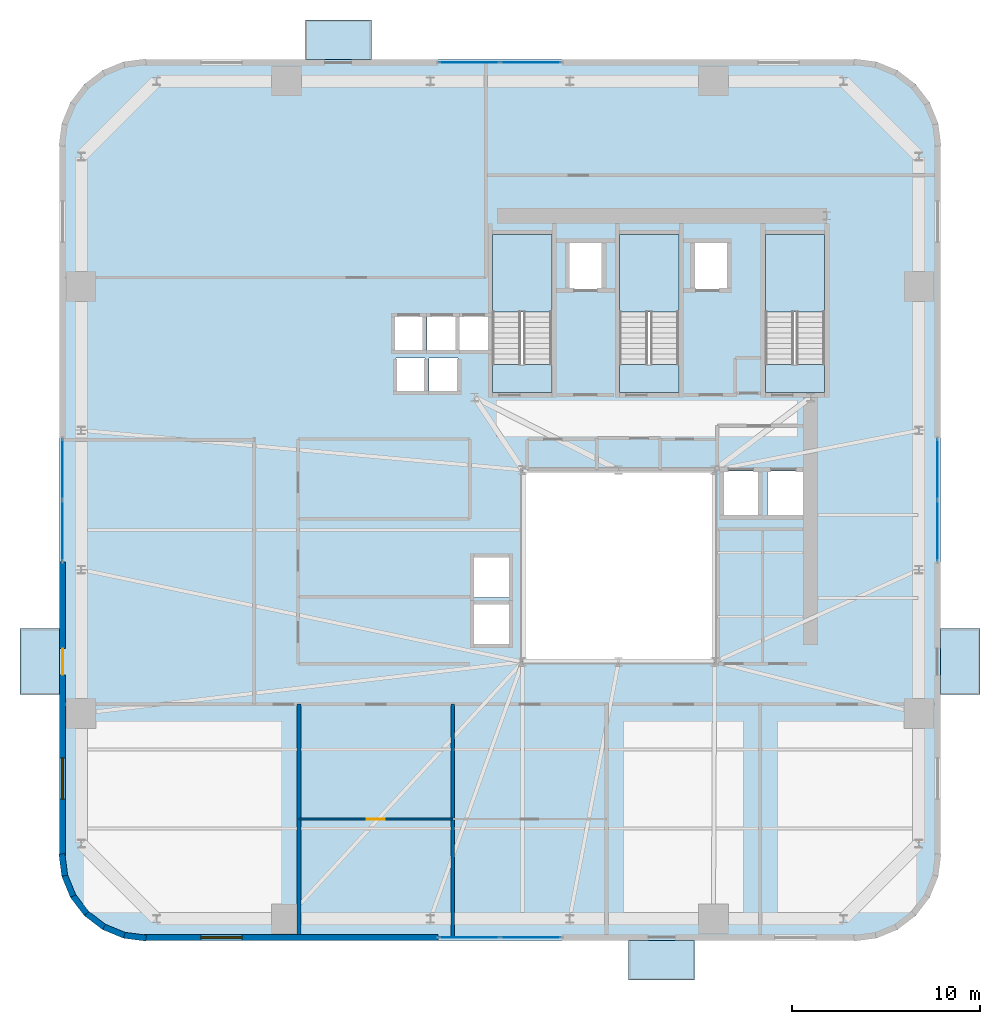
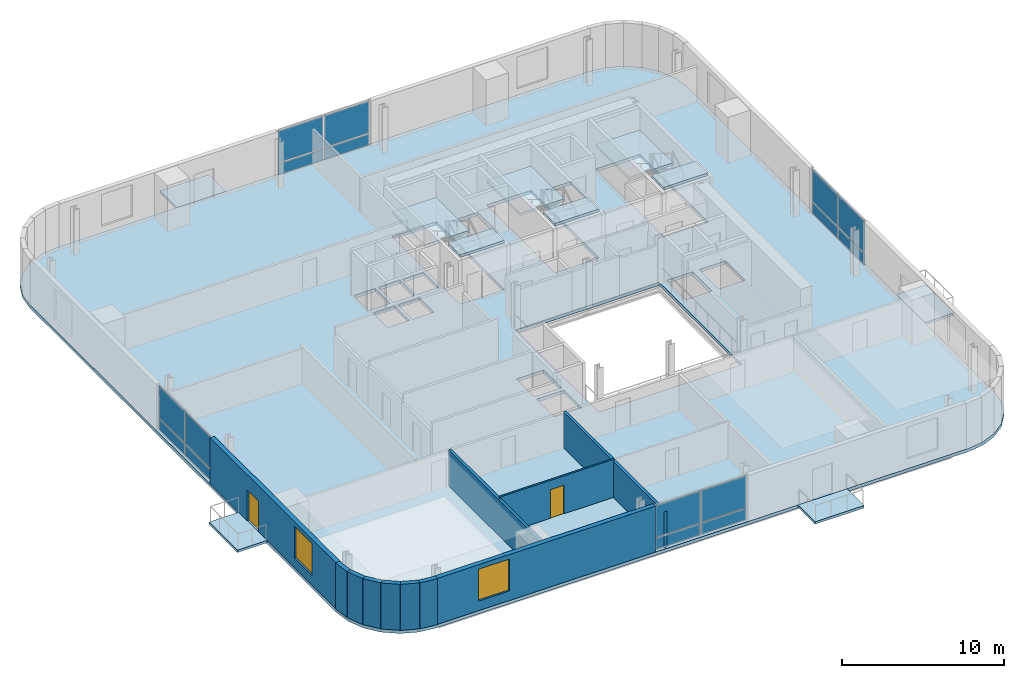
# One storey, part 5 of 13: 16 plates, 11 slabs, 11 walls, 2 doors, 2 windows, 4 openings, 7 elements without a shape of their own.
"""IFC4 building model written with IfcOpenShell, lengths in metres."""

from ifc_helpers import new_model, si_unit, direction, frame, frame_2d, origin, origin_2d, place, context, subcontext, project, spatial, polyline, rectangle, outline, extrude, source, transform, mapped, material, layer, layer_set, type_object, element, fill, aggregate, save


model = new_model("IFC4")

# Units and contexts
model_context = context("Model", 3, precision=1e-05, world=origin(), true_north=direction((0.0, 1.0)))
body_context = subcontext(model_context, "Body", "Model", "MODEL_VIEW")
ifc_project = project(units=[si_unit("LENGTHUNIT", "METRE"), si_unit("AREAUNIT", "SQUARE_METRE"), si_unit("VOLUMEUNIT", "CUBIC_METRE"), si_unit("PLANEANGLEUNIT", "RADIAN"), si_unit("MASSUNIT", "GRAM", prefix="KILO")], contexts=[model_context])

# Site, building, storey
site_placement = place(None, origin())
site = spatial("IfcSite", under=ifc_project, at=site_placement, CompositionType="ELEMENT")
building_placement = place(site_placement, origin())
building = spatial("IfcBuilding", under=site, at=building_placement, Name="Vardaveli Station Tower", CompositionType="ELEMENT")
storey_placement = place(building_placement, frame((0.0, 0.0, 159.39990234375)))
storey = spatial("IfcBuildingStorey", under=building, at=storey_placement, Name="L41", CompositionType="ELEMENT", Elevation=159.39990234375)

# Stair, slabs
ifc_material_1 = material(Name="Concrete C40/50", Category="concrete")
stair_type = type_object("IfcStairType", Name="STR-CORE-1500", PredefinedType="HALF_TURN_STAIR", material=ifc_material_1)
stair_1_placement = place(storey_placement, origin())
stair_1 = element("IfcStair", 1, at=stair_1_placement, inside=storey, type_object=stair_type, Name="L41 ST-1", PredefinedType="HALF_TURN_STAIR")
ifc_layer_1 = layer(ifc_material_1, 0.199951171875, Name="Concrete C40/50")
ifc_layer_set_1 = layer_set([ifc_layer_1], Name="Concrete C40/50")
slab_type_1 = type_object("IfcSlabType", Name="SLB-LAND-200", PredefinedType="LANDING", material=ifc_layer_set_1)
slab_1_placement = place(storey_placement, frame((0.0, 0.0, 1.650146484375)))
slab_1 = element("IfcSlab", 2, at=slab_1_placement, type_object=slab_type_1, Name="ST-1 landing 1", PredefinedType="LANDING", context=body_context, shape_type="SweptSolid", body=[
    extrude(outline(polyline([(32.75, 35.199951171875), (32.75, 39.300048828125), (29.60009765625, 39.300048828125), (29.60009765625, 35.199951171875), (32.75, 35.199951171875)])), origin(), (0.0, 0.0, 1.0), 0.199951171875),
])
slab_2_placement = place(storey_placement, frame((0.0, 0.0, 3.5)))
slab_2 = element("IfcSlab", 3, at=slab_2_placement, type_object=slab_type_1, Name="ST-1 landing 2", PredefinedType="LANDING", context=body_context, shape_type="SweptSolid", body=[
    extrude(outline(polyline([(32.75, 30.89990234375), (32.75, 32.39990234375), (29.60009765625, 32.39990234375), (29.60009765625, 30.89990234375), (32.75, 30.89990234375)])), origin(), (0.0, 0.0, 1.0), 0.2001953125),
])
aggregate(stair_1, [slab_1, slab_2])

stair_2_placement = place(storey_placement, origin())
stair_2 = element("IfcStair", 4, at=stair_2_placement, inside=storey, type_object=stair_type, Name="L41 ST-2", PredefinedType="HALF_TURN_STAIR")
slab_3_placement = place(storey_placement, frame((0.0, 0.0, 1.650146484375)))
slab_3 = element("IfcSlab", 5, at=slab_3_placement, type_object=slab_type_1, Name="ST-2 landing 1", PredefinedType="LANDING", context=body_context, shape_type="SweptSolid", body=[
    extrude(outline(polyline([(39.5, 35.199951171875), (39.5, 39.300048828125), (36.35009765625, 39.300048828125), (36.35009765625, 35.199951171875), (39.5, 35.199951171875)])), origin(), (0.0, 0.0, 1.0), 0.199951171875),
])
slab_4_placement = place(storey_placement, frame((0.0, 0.0, 3.5)))
slab_4 = element("IfcSlab", 6, at=slab_4_placement, type_object=slab_type_1, Name="ST-2 landing 2", PredefinedType="LANDING", context=body_context, shape_type="SweptSolid", body=[
    extrude(outline(polyline([(39.5, 30.89990234375), (39.5, 32.39990234375), (36.35009765625, 32.39990234375), (36.35009765625, 30.89990234375), (39.5, 30.89990234375)])), origin(), (0.0, 0.0, 1.0), 0.2001953125),
])
aggregate(stair_2, [slab_3, slab_4])

stair_3_placement = place(storey_placement, origin())
stair_3 = element("IfcStair", 7, at=stair_3_placement, inside=storey, type_object=stair_type, Name="L41 ST-3", PredefinedType="HALF_TURN_STAIR")
slab_5_placement = place(storey_placement, frame((0.0, 0.0, 1.650146484375)))
slab_5 = element("IfcSlab", 8, at=slab_5_placement, type_object=slab_type_1, Name="ST-3 landing 1", PredefinedType="LANDING", context=body_context, shape_type="SweptSolid", body=[
    extrude(outline(polyline([(47.25, 35.199951171875), (47.25, 39.300048828125), (44.10009765625, 39.300048828125), (44.10009765625, 35.199951171875), (47.25, 35.199951171875)])), origin(), (0.0, 0.0, 1.0), 0.199951171875),
])
slab_6_placement = place(storey_placement, frame((0.0, 0.0, 3.5)))
slab_6 = element("IfcSlab", 9, at=slab_6_placement, type_object=slab_type_1, Name="ST-3 landing 2", PredefinedType="LANDING", context=body_context, shape_type="SweptSolid", body=[
    extrude(outline(polyline([(47.25, 30.89990234375), (47.25, 32.39990234375), (44.10009765625, 32.39990234375), (44.10009765625, 30.89990234375), (47.25, 30.89990234375)])), origin(), (0.0, 0.0, 1.0), 0.2001953125),
])
aggregate(stair_3, [slab_5, slab_6])

# Slabs
ifc_material_2 = material(Name="Precast concrete C45/55", Category="concrete")
ifc_layer_2 = layer(ifc_material_2, 0.179931640625, Name="Precast concrete C45/55")
ifc_layer_set_2 = layer_set([ifc_layer_2], Name="Precast concrete C45/55")
slab_type_2 = type_object("IfcSlabType", Name="SLB-LOGGIA-180", PredefinedType="FLOOR", material=ifc_layer_set_2)
slab_7_placement = place(storey_placement, frame((0.0, 0.0, -0.179931640625)))
element("IfcSlab", 10, at=slab_7_placement, inside=storey, type_object=slab_type_2, Name="LOG-L41-S", PredefinedType="FLOOR", context=body_context, shape_type="SweptSolid", body=[
    extrude(outline(polyline([(36.839599609375, -0.300048828125), (40.339599609375, -0.300048828125), (40.339599609375, 1.800048828125), (36.839599609375, 1.800048828125), (36.839599609375, -0.300048828125)])), origin(), (0.0, 0.0, 1.0), 0.179931640625),
])
slab_8_placement = place(storey_placement, frame((0.0, 0.0, -0.179931640625)))
element("IfcSlab", 11, at=slab_8_placement, inside=storey, type_object=slab_type_2, Name="LOG-L41-N", PredefinedType="FLOOR", context=body_context, shape_type="SweptSolid", body=[
    extrude(outline(polyline([(19.660400390625, 48.60009765625), (23.160400390625, 48.60009765625), (23.160400390625, 50.699951171875), (19.660400390625, 50.699951171875), (19.660400390625, 48.60009765625)])), origin(), (0.0, 0.0, 1.0), 0.179931640625),
])
slab_9_placement = place(storey_placement, frame((0.0, 0.0, -0.179931640625)))
element("IfcSlab", 12, at=slab_9_placement, inside=storey, type_object=slab_type_2, Name="LOG-L41-W", PredefinedType="FLOOR", context=body_context, shape_type="SweptSolid", body=[
    extrude(outline(polyline([(4.5, 14.8603515625), (6.60009765625, 14.8603515625), (6.60009765625, 18.3603515625), (4.5, 18.3603515625), (4.5, 14.8603515625)])), origin(), (0.0, 0.0, 1.0), 0.179931640625),
])
slab_10_placement = place(storey_placement, frame((0.0, 0.0, -0.179931640625)))
element("IfcSlab", 13, at=slab_10_placement, inside=storey, type_object=slab_type_2, Name="LOG-L41-E", PredefinedType="FLOOR", context=body_context, shape_type="SweptSolid", body=[
    extrude(outline(polyline([(53.39990234375, 14.8603515625), (55.5, 14.8603515625), (55.5, 18.3603515625), (53.39990234375, 18.3603515625), (53.39990234375, 14.8603515625)])), origin(), (0.0, 0.0, 1.0), 0.179931640625),
])
ifc_layer_3 = layer(ifc_material_1, 0.239990234375, Name="Concrete C40/50")
ifc_layer_set_3 = layer_set([ifc_layer_3], Name="Concrete C40/50")
slab_type_3 = type_object("IfcSlabType", Name="SLB-TOW-240", PredefinedType="FLOOR", material=ifc_layer_set_3)
slab_11_placement = place(storey_placement, frame((0.0, 0.0, -0.239990234375)))
element("IfcSlab", 14, at=slab_11_placement, inside=storey, type_object=slab_type_3, Name="SLB-L41-MAIN", PredefinedType="FLOOR", context=body_context, shape_type="SweptSolid", body=[
    extrude(outline(polyline([(6.60009765625, 6.300048828125), (6.75341796875, 5.13525390625), (7.202880859375, 4.050048828125), (7.91796875, 3.117919921875), (8.85009765625, 2.40283203125), (9.935302734375, 1.953369140625), (11.10009765625, 1.800048828125), (48.89990234375, 1.800048828125), (50.064697265625, 1.953369140625), (51.14990234375, 2.40283203125), (52.08203125, 3.117919921875), (52.797119140625, 4.050048828125), (53.24658203125, 5.13525390625), (53.39990234375, 6.300048828125), (53.39990234375, 44.10009765625), (53.24658203125, 45.2646484375), (52.797119140625, 46.35009765625), (52.08203125, 47.281982421875), (51.14990234375, 47.9970703125), (50.064697265625, 48.44677734375), (48.89990234375, 48.60009765625), (11.10009765625, 48.60009765625), (9.935302734375, 48.44677734375), (8.85009765625, 47.9970703125), (7.91796875, 47.281982421875), (7.202880859375, 46.35009765625), (6.75341796875, 45.2646484375), (6.60009765625, 44.10009765625), (6.60009765625, 6.300048828125)]), holes=[polyline([(31.199951171875, 16.60009765625), (41.39990234375, 16.60009765625), (41.39990234375, 26.800048828125), (31.199951171875, 26.800048828125), (31.199951171875, 16.60009765625)]), polyline([(32.75, 30.89990234375), (32.75, 39.300048828125), (29.60009765625, 39.300048828125), (29.60009765625, 30.89990234375), (32.75, 30.89990234375)]), polyline([(39.5, 30.89990234375), (39.5, 39.300048828125), (36.35009765625, 39.300048828125), (36.35009765625, 30.89990234375), (39.5, 30.89990234375)]), polyline([(47.25, 30.89990234375), (47.25, 39.300048828125), (44.10009765625, 39.300048828125), (44.10009765625, 30.89990234375), (47.25, 30.89990234375)]), polyline([(24.385009765625, 33.135009765625), (25.9150390625, 33.135009765625), (25.9150390625, 34.965087890625), (24.385009765625, 34.965087890625), (24.385009765625, 33.135009765625)]), polyline([(26.135009765625, 33.135009765625), (27.6650390625, 33.135009765625), (27.6650390625, 34.965087890625), (26.135009765625, 34.965087890625), (26.135009765625, 33.135009765625)]), polyline([(27.8349609375, 33.135009765625), (29.364990234375, 33.135009765625), (29.364990234375, 34.965087890625), (27.8349609375, 34.965087890625), (27.8349609375, 33.135009765625)]), polyline([(33.659912109375, 36.409912109375), (35.43994140625, 36.409912109375), (35.43994140625, 38.889892578125), (33.659912109375, 38.889892578125), (33.659912109375, 36.409912109375)]), polyline([(40.31005859375, 36.409912109375), (42.090087890625, 36.409912109375), (42.090087890625, 38.889892578125), (40.31005859375, 38.889892578125), (40.31005859375, 36.409912109375)]), polyline([(24.485107421875, 30.9599609375), (26.014892578125, 30.9599609375), (26.014892578125, 32.739990234375), (24.485107421875, 32.739990234375), (24.485107421875, 30.9599609375)]), polyline([(26.235107421875, 30.9599609375), (27.764892578125, 30.9599609375), (27.764892578125, 32.739990234375), (26.235107421875, 32.739990234375), (26.235107421875, 30.9599609375)]), polyline([(28.5849609375, 17.510009765625), (30.514892578125, 17.510009765625), (30.514892578125, 19.68994140625), (28.5849609375, 19.68994140625), (28.5849609375, 17.510009765625)]), polyline([(28.5849609375, 20.010009765625), (30.514892578125, 20.010009765625), (30.514892578125, 22.18994140625), (28.5849609375, 22.18994140625), (28.5849609375, 20.010009765625)]), polyline([(41.860107421875, 24.360107421875), (43.739990234375, 24.360107421875), (43.739990234375, 26.739990234375), (41.860107421875, 26.739990234375), (41.860107421875, 24.360107421875)]), polyline([(44.2099609375, 24.360107421875), (46.090087890625, 24.360107421875), (46.090087890625, 26.739990234375), (44.2099609375, 26.739990234375), (44.2099609375, 24.360107421875)])]), origin(), (0.0, 0.0, 1.0), 0.239990234375),
])

# Curtain wall, plates
ifc_material_3 = material(Name="Travertine stone and solar-control glass", Category="masonry")
curtain_wall_type = type_object("IfcCurtainWallType", Name="CW-SYS-2", PredefinedType="NOTDEFINED", material=ifc_material_3)
curtain_wall_1_placement = place(storey_placement, origin())
curtain_wall_1 = element("IfcCurtainWall", 15, at=curtain_wall_1_placement, inside=storey, type_object=curtain_wall_type, Name="CW-L41-S", PredefinedType="NOTDEFINED")
ifc_material_4 = material(Name="Double-glazed low-E solar-control glass", Category="glass")
ifc_layer_4 = layer(ifc_material_4, 0.035888671875, Name="Double-glazed low-E solar-control glass")
ifc_layer_set_4 = layer_set([ifc_layer_4], Name="Double-glazed low-E solar-control glass")
plate_type = type_object("IfcPlateType", Name="CW-SYS-2-PAN", PredefinedType="CURTAIN_PANEL", material=ifc_layer_set_4)
shared_shape_1 = source(origin(), body_context, "Body", "SweptSolid", [
    extrude(rectangle(XDim=3.172607421875, YDim=0.035888671875, at=origin_2d()), origin(), (0.0, 0.0, 1.0), 0.822509765625),
])
plate_1_placement = place(storey_placement, frame((28.371337890625, 1.9599609375, 0.0849609375), z_axis=(0.0, 0.0, 1.0), x_axis=(1.0, 0.0, 0.0)))
plate_1 = element("IfcPlate", 16, at=plate_1_placement, type_object=plate_type, Name="CW-2 panel 1.1", PredefinedType="CURTAIN_PANEL", context=body_context, shape_type="MappedRepresentation", body=[
    mapped(shared_shape_1, transform((0.0, 0.0, 0.0), scale=1.0)),
])
plate_2_placement = place(storey_placement, frame((31.628662109375, 1.9599609375, 0.0849609375), z_axis=(0.0, 0.0, 1.0), x_axis=(1.0, 0.0, 0.0)))
plate_2 = element("IfcPlate", 17, at=plate_2_placement, type_object=plate_type, Name="CW-2 panel 2.1", PredefinedType="CURTAIN_PANEL", context=body_context, shape_type="MappedRepresentation", body=[
    mapped(shared_shape_1, transform((0.0, 0.0, 0.0), scale=1.0)),
])

curtain_wall_2_placement = place(storey_placement, origin())
curtain_wall_2 = element("IfcCurtainWall", 18, at=curtain_wall_2_placement, inside=storey, type_object=curtain_wall_type, Name="CW-L41-N", PredefinedType="NOTDEFINED")
plate_3_placement = place(storey_placement, frame((31.628662109375, 48.43994140625, 0.0849609375), z_axis=(0.0, 0.0, 1.0), x_axis=(-1.0, 0.0, 0.0)))
plate_3 = element("IfcPlate", 19, at=plate_3_placement, type_object=plate_type, Name="CW-2 panel 1.1", PredefinedType="CURTAIN_PANEL", context=body_context, shape_type="MappedRepresentation", body=[
    mapped(shared_shape_1, transform((0.0, 0.0, 0.0), scale=1.0)),
])
plate_4_placement = place(storey_placement, frame((28.371337890625, 48.43994140625, 0.0849609375), z_axis=(0.0, 0.0, 1.0), x_axis=(-1.0, 0.0, 0.0)))
plate_4 = element("IfcPlate", 20, at=plate_4_placement, type_object=plate_type, Name="CW-2 panel 2.1", PredefinedType="CURTAIN_PANEL", context=body_context, shape_type="MappedRepresentation", body=[
    mapped(shared_shape_1, transform((0.0, 0.0, 0.0), scale=1.0)),
])

curtain_wall_3_placement = place(storey_placement, origin())
curtain_wall_3 = element("IfcCurtainWall", 21, at=curtain_wall_3_placement, inside=storey, type_object=curtain_wall_type, Name="CW-L41-W", PredefinedType="NOTDEFINED")
plate_5_placement = place(storey_placement, frame((6.760009765625, 26.828857421875, 0.0849609375), z_axis=(0.0, 0.0, 1.0), x_axis=(0.0, -1.0, 0.0)))
plate_5 = element("IfcPlate", 22, at=plate_5_placement, type_object=plate_type, Name="CW-2 panel 1.1", PredefinedType="CURTAIN_PANEL", context=body_context, shape_type="MappedRepresentation", body=[
    mapped(shared_shape_1, transform((0.0, 0.0, 0.0), scale=1.0)),
])
plate_6_placement = place(storey_placement, frame((6.760009765625, 23.5712890625, 0.0849609375), z_axis=(0.0, 0.0, 1.0), x_axis=(0.0, -1.0, 0.0)))
plate_6 = element("IfcPlate", 23, at=plate_6_placement, type_object=plate_type, Name="CW-2 panel 2.1", PredefinedType="CURTAIN_PANEL", context=body_context, shape_type="MappedRepresentation", body=[
    mapped(shared_shape_1, transform((0.0, 0.0, 0.0), scale=1.0)),
])

curtain_wall_4_placement = place(storey_placement, origin())
curtain_wall_4 = element("IfcCurtainWall", 24, at=curtain_wall_4_placement, inside=storey, type_object=curtain_wall_type, Name="CW-L41-E", PredefinedType="NOTDEFINED")
plate_7_placement = place(storey_placement, frame((53.239990234375, 23.5712890625, 0.0849609375), z_axis=(0.0, 0.0, 1.0), x_axis=(0.0, 1.0, 0.0)))
plate_7 = element("IfcPlate", 25, at=plate_7_placement, type_object=plate_type, Name="CW-2 panel 1.1", PredefinedType="CURTAIN_PANEL", context=body_context, shape_type="MappedRepresentation", body=[
    mapped(shared_shape_1, transform((0.0, 0.0, 0.0), scale=1.0)),
])
plate_8_placement = place(storey_placement, frame((53.239990234375, 26.828857421875, 0.0849609375), z_axis=(0.0, 0.0, 1.0), x_axis=(0.0, 1.0, 0.0)))
plate_8 = element("IfcPlate", 26, at=plate_8_placement, type_object=plate_type, Name="CW-2 panel 2.1", PredefinedType="CURTAIN_PANEL", context=body_context, shape_type="MappedRepresentation", body=[
    mapped(shared_shape_1, transform((0.0, 0.0, 0.0), scale=1.0)),
])

# Plate
shared_shape_2 = source(origin(), body_context, "Body", "SweptSolid", [
    extrude(rectangle(XDim=3.172607421875, YDim=0.035888671875, at=origin_2d()), origin(), (0.0, 0.0, 1.0), 2.382568359375),
])
plate_9_placement = place(storey_placement, frame((28.371337890625, 1.9599609375, 0.99267578125), z_axis=(0.0, 0.0, 1.0), x_axis=(1.0, 0.0, 0.0)))
plate_9 = element("IfcPlate", 27, at=plate_9_placement, type_object=plate_type, Name="CW-2 panel 1.2", PredefinedType="CURTAIN_PANEL", context=body_context, shape_type="MappedRepresentation", body=[
    mapped(shared_shape_2, transform((0.0, 0.0, 0.0), scale=1.0)),
])

plate_10_placement = place(storey_placement, frame((31.628662109375, 1.9599609375, 0.99267578125), z_axis=(0.0, 0.0, 1.0), x_axis=(1.0, 0.0, 0.0)))
plate_10 = element("IfcPlate", 28, at=plate_10_placement, type_object=plate_type, Name="CW-2 panel 2.2", PredefinedType="CURTAIN_PANEL", context=body_context, shape_type="MappedRepresentation", body=[
    mapped(shared_shape_2, transform((0.0, 0.0, 0.0), scale=1.0)),
])

aggregate(curtain_wall_1, [plate_1, plate_9, plate_2, plate_10])

plate_11_placement = place(storey_placement, frame((31.628662109375, 48.43994140625, 0.99267578125), z_axis=(0.0, 0.0, 1.0), x_axis=(-1.0, 0.0, 0.0)))
plate_11 = element("IfcPlate", 29, at=plate_11_placement, type_object=plate_type, Name="CW-2 panel 1.2", PredefinedType="CURTAIN_PANEL", context=body_context, shape_type="MappedRepresentation", body=[
    mapped(shared_shape_2, transform((0.0, 0.0, 0.0), scale=1.0)),
])

plate_12_placement = place(storey_placement, frame((28.371337890625, 48.43994140625, 0.99267578125), z_axis=(0.0, 0.0, 1.0), x_axis=(-1.0, 0.0, 0.0)))
plate_12 = element("IfcPlate", 30, at=plate_12_placement, type_object=plate_type, Name="CW-2 panel 2.2", PredefinedType="CURTAIN_PANEL", context=body_context, shape_type="MappedRepresentation", body=[
    mapped(shared_shape_2, transform((0.0, 0.0, 0.0), scale=1.0)),
])

aggregate(curtain_wall_2, [plate_3, plate_11, plate_4, plate_12])

plate_13_placement = place(storey_placement, frame((6.760009765625, 26.828857421875, 0.99267578125), z_axis=(0.0, 0.0, 1.0), x_axis=(0.0, -1.0, 0.0)))
plate_13 = element("IfcPlate", 31, at=plate_13_placement, type_object=plate_type, Name="CW-2 panel 1.2", PredefinedType="CURTAIN_PANEL", context=body_context, shape_type="MappedRepresentation", body=[
    mapped(shared_shape_2, transform((0.0, 0.0, 0.0), scale=1.0)),
])

plate_14_placement = place(storey_placement, frame((6.760009765625, 23.5712890625, 0.99267578125), z_axis=(0.0, 0.0, 1.0), x_axis=(0.0, -1.0, 0.0)))
plate_14 = element("IfcPlate", 32, at=plate_14_placement, type_object=plate_type, Name="CW-2 panel 2.2", PredefinedType="CURTAIN_PANEL", context=body_context, shape_type="MappedRepresentation", body=[
    mapped(shared_shape_2, transform((0.0, 0.0, 0.0), scale=1.0)),
])

aggregate(curtain_wall_3, [plate_5, plate_13, plate_6, plate_14])

plate_15_placement = place(storey_placement, frame((53.239990234375, 23.5712890625, 0.99267578125), z_axis=(0.0, 0.0, 1.0), x_axis=(0.0, 1.0, 0.0)))
plate_15 = element("IfcPlate", 33, at=plate_15_placement, type_object=plate_type, Name="CW-2 panel 1.2", PredefinedType="CURTAIN_PANEL", context=body_context, shape_type="MappedRepresentation", body=[
    mapped(shared_shape_2, transform((0.0, 0.0, 0.0), scale=1.0)),
])

plate_16_placement = place(storey_placement, frame((53.239990234375, 26.828857421875, 0.99267578125), z_axis=(0.0, 0.0, 1.0), x_axis=(0.0, 1.0, 0.0)))
plate_16 = element("IfcPlate", 34, at=plate_16_placement, type_object=plate_type, Name="CW-2 panel 2.2", PredefinedType="CURTAIN_PANEL", context=body_context, shape_type="MappedRepresentation", body=[
    mapped(shared_shape_2, transform((0.0, 0.0, 0.0), scale=1.0)),
])

aggregate(curtain_wall_4, [plate_7, plate_15, plate_8, plate_16])

# Wall, opening, window
ifc_layer_5 = layer(ifc_material_2, 0.320068359375, Name="Precast concrete C45/55")
ifc_layer_set_5 = layer_set([ifc_layer_5], Name="Precast concrete C45/55")
wall_type_1 = type_object("IfcWallType", Name="WAL-EXT-STONE-320", PredefinedType="SOLIDWALL", material=ifc_layer_set_5)
shared_shape_3 = source(origin(), body_context, "Body", "SweptSolid", [
    extrude(rectangle(XDim=15.599853515625, YDim=0.320068359375, at=frame_2d((7.7998046875, 0.0))), origin(), (0.0, 0.0, 1.0), 3.460205078125),
])
wall_1_placement = place(storey_placement, frame((11.10009765625, 1.9599609375, 0.0), z_axis=(0.0, 0.0, 1.0), x_axis=(1.0, 0.0, 0.0)))
wall_1 = element("IfcWall", 35, at=wall_1_placement, inside=storey, type_object=wall_type_1, Name="EW-L41-S1", PredefinedType="SOLIDWALL", context=body_context, shape_type="MappedRepresentation", body=[
    mapped(shared_shape_3, transform((0.0, 0.0, 0.0), scale=1.0)),
])
shared_shape_4 = source(origin(), body_context, "Body", "SweptSolid", [
    extrude(rectangle(XDim=2.199951171875, YDim=2.39990234375, at=frame_2d((1.10009765625, 1.199951171875))), frame((0.0, 0.169921875, 0.0), z_axis=(0.0, -1.0, 0.0), x_axis=(1.0, 0.0, 0.0)), (0.0, 0.0, 1.0), 0.340087890625),
])
opening_1_placement = place(wall_1_placement, frame((3.0048828125, 0.0, 0.719970703125)))
opening_1 = element("IfcOpeningElement", 36, at=opening_1_placement, cuts=wall_1, Name="Opening W-03", PredefinedType="OPENING", context=body_context, shape_type="MappedRepresentation", body=[
    mapped(shared_shape_4, transform((0.0, 0.0, 0.0), scale=1.0)),
])
ifc_material_5 = material(Name="Low-E solar-control glass", Category="glass")
window_type = type_object("IfcWindowType", Name="WIN-LOG-2200x2400", PartitioningType="SINGLE_PANEL", PredefinedType="WINDOW", material=ifc_material_5)
shared_shape_5 = source(origin(), body_context, "Body", "SweptSolid", [
    extrude(rectangle(XDim=2.199951171875, YDim=2.39990234375, at=frame_2d((1.10009765625, 1.199951171875))), frame((0.0, 0.030029296875, 0.0), z_axis=(0.0, -1.0, 0.0), x_axis=(1.0, 0.0, 0.0)), (0.0, 0.0, 1.0), 0.06005859375),
])
window_1_placement = place(opening_1_placement, origin())
window_1 = element("IfcWindow", 37, at=window_1_placement, inside=storey, type_object=window_type, Name="WN-L41-S1", OverallHeight=2.39990234375, OverallWidth=2.199951171875, PartitioningType="SINGLE_PANEL", PredefinedType="WINDOW", context=body_context, shape_type="MappedRepresentation", body=[
    mapped(shared_shape_5, transform((0.0, 0.0, 0.0), scale=1.0)),
])
fill(opening_1, window_1)

# Wall, openings, door, window
wall_2_placement = place(storey_placement, frame((6.760009765625, 21.89990234375, 0.0), z_axis=(0.0, 0.0, 1.0), x_axis=(0.0, -1.0, 0.0)))
wall_2 = element("IfcWall", 38, at=wall_2_placement, inside=storey, type_object=wall_type_1, Name="EW-L41-W2", PredefinedType="SOLIDWALL", context=body_context, shape_type="MappedRepresentation", body=[
    mapped(shared_shape_3, transform((0.0, 0.0, 0.0), scale=1.0)),
])
shared_shape_6 = source(origin(), body_context, "Body", "SweptSolid", [
    extrude(rectangle(XDim=1.39990234375, YDim=2.300048828125, at=frame_2d((0.699951171875, 1.14990234375))), frame((0.0, 0.169921875, 0.0), z_axis=(0.0, -1.0, 0.0), x_axis=(1.0, 0.0, 0.0)), (0.0, 0.0, 1.0), 0.340087890625),
])
opening_2_placement = place(wall_2_placement, frame((4.589599609375, 0.0, 0.0)))
opening_2 = element("IfcOpeningElement", 39, at=opening_2_placement, cuts=wall_2, Name="Opening D-09", PredefinedType="OPENING", context=body_context, shape_type="MappedRepresentation", body=[
    mapped(shared_shape_6, transform((0.0, 0.0, 0.0), scale=1.0)),
])
opening_3_placement = place(wall_2_placement, frame((10.39501953125, 0.0, 0.719970703125)))
opening_3 = element("IfcOpeningElement", 40, at=opening_3_placement, cuts=wall_2, Name="Opening W-03", PredefinedType="OPENING", context=body_context, shape_type="MappedRepresentation", body=[
    mapped(shared_shape_4, transform((0.0, 0.0, 0.0), scale=1.0)),
])
ifc_material_6 = material(Name="Thermally broken aluminium glass", Category="aluminium")
door_type_1 = type_object("IfcDoorType", Name="DR-LOG-1400x2300", OperationType="DOUBLE_DOOR_SLIDING", PredefinedType="DOOR", material=ifc_material_6)
shared_shape_7 = source(origin(), body_context, "Body", "SweptSolid", [
    extrude(rectangle(XDim=1.39990234375, YDim=2.300048828125, at=frame_2d((0.699951171875, 1.14990234375))), frame((0.0, 0.02490234375, 0.0), z_axis=(0.0, -1.0, 0.0), x_axis=(1.0, 0.0, 0.0)), (0.0, 0.0, 1.0), 0.050048828125),
])
door_1_placement = place(opening_2_placement, frame((1.39990234375, 0.0, 0.0), z_axis=(0.0, 0.0, 1.0), x_axis=(-1.0, 0.0, 0.0)))
door_1 = element("IfcDoor", 41, at=door_1_placement, inside=storey, type_object=door_type_1, Name="DLG-L41-W", OperationType="DOUBLE_DOOR_SLIDING", OverallHeight=2.300048828125, OverallWidth=1.39990234375, PredefinedType="DOOR", context=body_context, shape_type="MappedRepresentation", body=[
    mapped(shared_shape_7, transform((0.0, 0.0, 0.0), scale=1.0)),
])
fill(opening_2, door_1)
window_2_placement = place(opening_3_placement, origin())
window_2 = element("IfcWindow", 42, at=window_2_placement, inside=storey, type_object=window_type, Name="WN-L41-W2", OverallHeight=2.39990234375, OverallWidth=2.199951171875, PartitioningType="SINGLE_PANEL", PredefinedType="WINDOW", context=body_context, shape_type="MappedRepresentation", body=[
    mapped(shared_shape_5, transform((0.0, 0.0, 0.0), scale=1.0)),
])
fill(opening_3, window_2)

# Walls
shared_shape_8 = source(origin(), body_context, "Body", "SweptSolid", [
    extrude(rectangle(XDim=1.170654296875, YDim=0.320068359375, at=frame_2d((0.58544921875, 0.0))), origin(), (0.0, 0.0, 1.0), 3.460205078125),
])
wall_3_placement = place(storey_placement, frame((6.724365234375, 6.400634765625, 0.0), z_axis=(0.0, 0.0, 1.0), x_axis=(0.128269133229, -0.991739395941, 0.0)))
element("IfcWall", 43, at=wall_3_placement, inside=storey, type_object=wall_type_1, Name="EW-L41-CR1-1", PredefinedType="SOLIDWALL", context=body_context, shape_type="MappedRepresentation", body=[
    mapped(shared_shape_8, transform((0.0, 0.0, 0.0), scale=1.0)),
])
shared_shape_9 = source(origin(), body_context, "Body", "SweptSolid", [
    extrude(rectangle(XDim=1.1689453125, YDim=0.320068359375, at=frame_2d((0.58447265625, 0.0))), origin(), (0.0, 0.0, 1.0), 3.460205078125),
])
for number, where, z_axis, x_axis, name in (
    (44, (6.87451171875, 5.23974609375, 0.0), (0.0, 0.0, 1.0), (0.381127904695, -0.924522320046, 0.0), "EW-L41-CR1-2"),
    (45, (7.320068359375, 4.158935546875, 0.0), (0.0, 0.0, 1.0), (0.608387696831, -0.793639975269, 0.0), "EW-L41-CR1-3"),
):
    element("IfcWall", number, at=place(storey_placement, frame(where, z_axis=z_axis, x_axis=x_axis)), inside=storey, type_object=wall_type_1, Name=name, PredefinedType="SOLIDWALL", context=body_context, shape_type="MappedRepresentation", body=[
        mapped(shared_shape_9, transform((0.0, 0.0, 0.0), scale=1.0)),
    ])
shared_shape_10 = source(origin(), body_context, "Body", "SweptSolid", [
    extrude(rectangle(XDim=1.168701171875, YDim=0.320068359375, at=frame_2d((0.58447265625, 0.0))), origin(), (0.0, 0.0, 1.0), 3.460205078125),
])
wall_4_placement = place(storey_placement, frame((8.03125, 3.231201171875, 0.0), z_axis=(0.0, 0.0, 1.0), x_axis=(0.793663520347, -0.608356981114, 0.0)))
element("IfcWall", 46, at=wall_4_placement, inside=storey, type_object=wall_type_1, Name="EW-L41-CR1-4", PredefinedType="SOLIDWALL", context=body_context, shape_type="MappedRepresentation", body=[
    mapped(shared_shape_10, transform((0.0, 0.0, 0.0), scale=1.0)),
])
shared_shape_11 = source(origin(), body_context, "Body", "SweptSolid", [
    extrude(rectangle(XDim=1.16943359375, YDim=0.320068359375, at=frame_2d((0.584716796875, 0.0))), origin(), (0.0, 0.0, 1.0), 3.460205078125),
])
wall_5_placement = place(storey_placement, frame((8.958740234375, 2.520263671875, 0.0), z_axis=(0.0, 0.0, 1.0), x_axis=(0.924479075121, -0.381232789334, 0.0)))
element("IfcWall", 47, at=wall_5_placement, inside=storey, type_object=wall_type_1, Name="EW-L41-CR1-5", PredefinedType="SOLIDWALL", context=body_context, shape_type="MappedRepresentation", body=[
    mapped(shared_shape_11, transform((0.0, 0.0, 0.0), scale=1.0)),
])
shared_shape_12 = source(origin(), body_context, "Body", "SweptSolid", [
    extrude(rectangle(XDim=1.170166015625, YDim=0.320068359375, at=frame_2d((0.5849609375, 0.0))), origin(), (0.0, 0.0, 1.0), 3.460205078125),
])
wall_6_placement = place(storey_placement, frame((10.039794921875, 2.074462890625, 0.0), z_axis=(0.0, 0.0, 1.0), x_axis=(0.991762485493, -0.128090485085, 0.0)))
element("IfcWall", 48, at=wall_6_placement, inside=storey, type_object=wall_type_1, Name="EW-L41-CR1-6", PredefinedType="SOLIDWALL", context=body_context, shape_type="MappedRepresentation", body=[
    mapped(shared_shape_12, transform((0.0, 0.0, 0.0), scale=1.0)),
])

# Wall, opening, door
ifc_material_7 = material(Name="Gypsum board stud partition")
ifc_layer_6 = layer(ifc_material_7, 0.125, Name="Gypsum board stud partition")
ifc_layer_set_6 = layer_set([ifc_layer_6], Name="Gypsum board stud partition")
wall_type_2 = type_object("IfcWallType", Name="WAL-INT-125", PredefinedType="PARTITIONING", material=ifc_layer_set_6)
shared_shape_13 = source(origin(), body_context, "Body", "SweptSolid", [
    extrude(rectangle(XDim=8.169921875, YDim=0.125, at=frame_2d((4.0849609375, 0.0))), origin(), (0.0, 0.0, 1.0), 2.85205078125),
])
wall_7_placement = place(storey_placement, frame((19.320068359375, 8.25, 0.0), z_axis=(0.0, 0.0, 1.0), x_axis=(1.0, 0.0, 0.0)))
wall_7 = element("IfcWall", 49, at=wall_7_placement, inside=storey, type_object=wall_type_2, Name="W-L41-SCM2", PredefinedType="PARTITIONING", context=body_context, shape_type="MappedRepresentation", body=[
    mapped(shared_shape_13, transform((0.0, 0.0, 0.0), scale=1.0)),
])
shared_shape_14 = source(origin(), body_context, "Body", "SweptSolid", [
    extrude(rectangle(XDim=0.949951171875, YDim=2.14990234375, at=frame_2d((0.47509765625, 1.074951171875))), frame((0.0, 0.072509765625, 0.0), z_axis=(0.0, -1.0, 0.0), x_axis=(1.0, 0.0, 0.0)), (0.0, 0.0, 1.0), 0.14501953125),
])
opening_4_placement = place(wall_7_placement, frame((3.60498046875, 0.0, 0.0)))
opening_4 = element("IfcOpeningElement", 50, at=opening_4_placement, cuts=wall_7, Name="Opening D-11", PredefinedType="OPENING", context=body_context, shape_type="MappedRepresentation", body=[
    mapped(shared_shape_14, transform((0.0, 0.0, 0.0), scale=1.0)),
])
ifc_material_8 = material(Name="Oak veneer internal suite door")
door_type_2 = type_object("IfcDoorType", Name="DR-INT-950x2150", OperationType="NOTDEFINED", PredefinedType="DOOR", material=ifc_material_8)
shared_shape_15 = source(origin(), body_context, "Body", "SweptSolid", [
    extrude(rectangle(XDim=0.949951171875, YDim=2.14990234375, at=frame_2d((0.47509765625, 1.074951171875))), frame((0.0, 0.02490234375, 0.0), z_axis=(0.0, -1.0, 0.0), x_axis=(1.0, 0.0, 0.0)), (0.0, 0.0, 1.0), 0.050048828125),
])
door_2_placement = place(opening_4_placement, origin())
door_2 = element("IfcDoor", 51, at=door_2_placement, inside=storey, type_object=door_type_2, Name="D-L41-SCF2", OperationType="SINGLE_SWING_RIGHT", OverallHeight=2.14990234375, OverallWidth=0.949951171875, PredefinedType="DOOR", context=body_context, shape_type="MappedRepresentation", body=[
    mapped(shared_shape_15, transform((0.0, 0.0, 0.0), scale=1.0)),
])
fill(opening_4, door_2)

# Walls
ifc_material_9 = material(Name="Acoustic twin-stud gypsum partition")
ifc_layer_7 = layer(ifc_material_9, 0.199951171875, Name="Acoustic twin-stud gypsum partition")
ifc_layer_set_7 = layer_set([ifc_layer_7], Name="Acoustic twin-stud gypsum partition")
wall_type_3 = type_object("IfcWallType", Name="WAL-PARTY-200", PredefinedType="PARTITIONING", material=ifc_layer_set_7)
shared_shape_16 = source(origin(), body_context, "Body", "SweptSolid", [
    extrude(rectangle(XDim=12.22802734375, YDim=0.199951171875, at=frame_2d((6.114013671875, 0.0))), origin(), (0.0, 0.0, 1.0), 2.7021484375),
])
wall_8_placement = place(storey_placement, frame((19.320068359375, 2.1220703125, 0.0), z_axis=(0.0, 0.0, 1.0), x_axis=(0.0, 1.0, 0.0)))
element("IfcWall", 52, at=wall_8_placement, inside=storey, type_object=wall_type_3, Name="W-L41-PS1", PredefinedType="PARTITIONING", context=body_context, shape_type="MappedRepresentation", body=[
    mapped(shared_shape_16, transform((0.0, 0.0, 0.0), scale=1.0)),
])
shared_shape_17 = source(origin(), body_context, "Body", "SweptSolid", [
    extrude(rectangle(XDim=12.420166015625, YDim=0.199951171875, at=frame_2d((6.2099609375, 0.0))), origin(), (0.0, 0.0, 1.0), 2.7021484375),
])
wall_9_placement = place(storey_placement, frame((27.489990234375, 1.929931640625, 0.0), z_axis=(0.0, 0.0, 1.0), x_axis=(0.0, 1.0, 0.0)))
element("IfcWall", 53, at=wall_9_placement, inside=storey, type_object=wall_type_3, Name="W-L41-PS2", PredefinedType="PARTITIONING", context=body_context, shape_type="MappedRepresentation", body=[
    mapped(shared_shape_17, transform((0.0, 0.0, 0.0), scale=1.0)),
])

save(model, "model.ifc")
